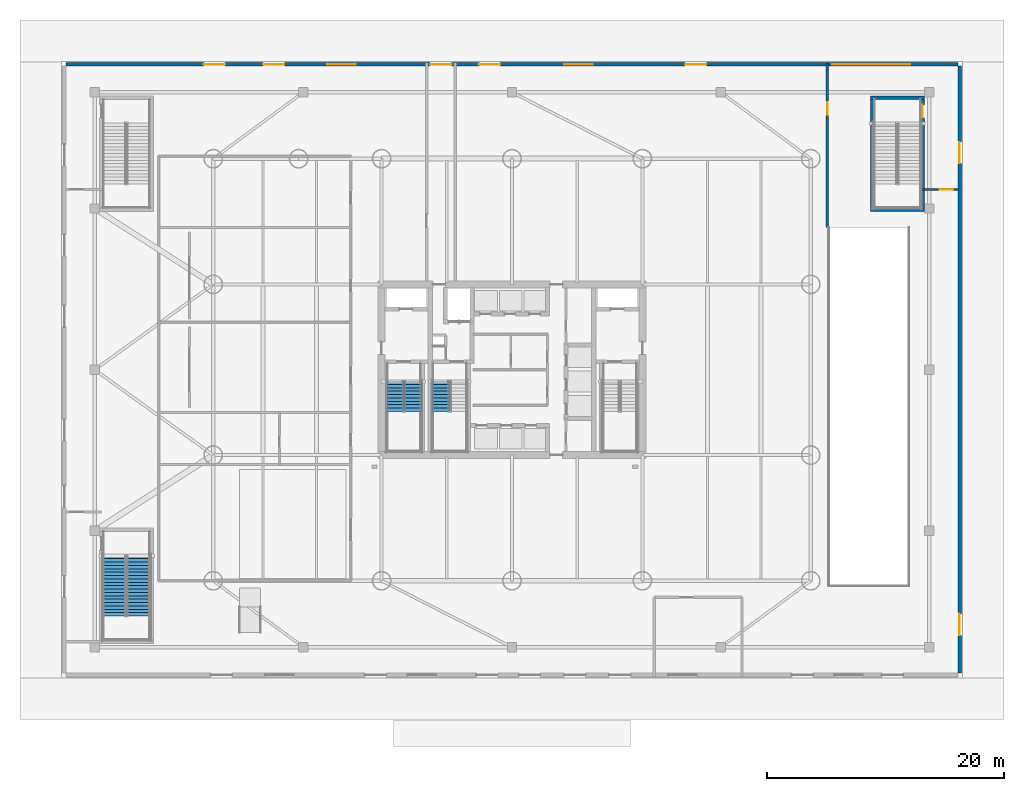
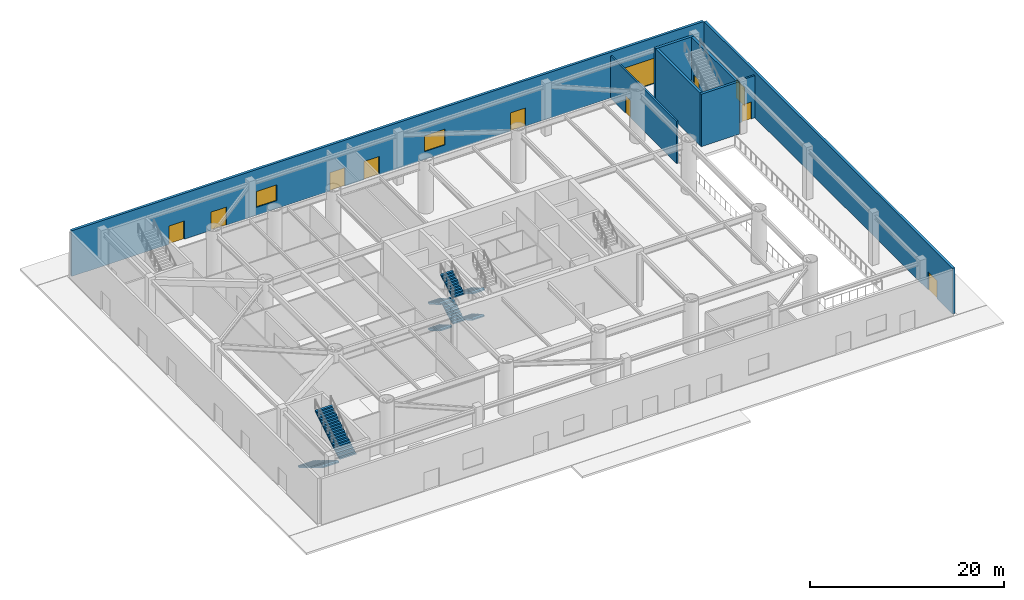
# One storey, part 7 of 15: 11 doors, 8 stair flights, 8 walls, 2 windows, 13 openings, 3 elements without a shape of their own.
"""IFC4 building model written with IfcOpenShell, lengths in metres."""

from ifc_helpers import new_model, si_unit, direction, frame, frame_2d, origin, place, context, subcontext, project, spatial, polyline, rectangle, outline, extrude, material, layer, layer_set, type_object, element, fill, aggregate, save


model = new_model("IFC4")

# Units and contexts
model_context = context("Model", 3, precision=1e-05, world=origin(), true_north=direction((0.0, 1.0)))
body_context = subcontext(model_context, "Body", "Model", "MODEL_VIEW")
ifc_project = project(units=[si_unit("LENGTHUNIT", "METRE"), si_unit("AREAUNIT", "SQUARE_METRE"), si_unit("VOLUMEUNIT", "CUBIC_METRE"), si_unit("PLANEANGLEUNIT", "RADIAN"), si_unit("MASSUNIT", "GRAM", prefix="KILO")], contexts=[model_context])

# Site, building, storey
site_placement = place(None, origin())
site = spatial("IfcSite", under=ifc_project, at=site_placement, CompositionType="ELEMENT")
building_placement = place(site_placement, origin())
building = spatial("IfcBuilding", under=site, at=building_placement, Name="Bramvorn Convention Spire", CompositionType="ELEMENT")
storey_placement = place(building_placement, origin())
storey = spatial("IfcBuildingStorey", under=building, at=storey_placement, Name="L00", CompositionType="ELEMENT", Elevation=0.0)

# Wall, openings, doors, windows
ifc_material_1 = material(Name="Precast Concrete C40/50 with Bronze Terracotta Rainscreen", Category="masonry")
ifc_layer_1 = layer(ifc_material_1, 0.300048828125)
ifc_layer_set_1 = layer_set([ifc_layer_1], Name="Precast Concrete C40/50 with Bronze Terracotta Rainscreen - WL-EXT-BRONZE-300")
wall_type_1 = type_object("IfcWallType", Name="WL-EXT-BRONZE-300", PredefinedType="SOLIDWALL", material=ifc_layer_set_1)
wall_1_placement = place(storey_placement, frame((0.39990234375, 51.75, 0.0), z_axis=(0.0, 0.0, 1.0), x_axis=(1.0, 0.0, 0.0)))
wall_1 = element("IfcWall", 1, at=wall_1_placement, inside=storey, type_object=wall_type_1, Name="L00 North podium bronze facade wall", PredefinedType="SOLIDWALL", context=body_context, shape_type="SweptSolid", body=[
    extrude(rectangle(XDim=75.2001953125, YDim=0.300048828125, at=frame_2d((37.60009765625, 0.0))), origin(), (0.0, 0.0, 1.0), 5.760009765625),
])
opening_1_placement = place(wall_1_placement, frame((22.0, 0.0, 1.0)))
opening_1 = element("IfcOpeningElement", 2, at=opening_1_placement, cuts=wall_1, Name="Opening WN05", PredefinedType="OPENING", context=body_context, shape_type="SweptSolid", body=[
    extrude(rectangle(XDim=2.39990234375, YDim=2.0, at=frame_2d((1.199951171875, 1.0))), frame((0.0, 0.159912109375, 0.0), z_axis=(0.0, -1.0, 0.0), x_axis=(1.0, 0.0, 0.0)), (0.0, 0.0, 1.0), 0.320068359375),
])
opening_2_placement = place(wall_1_placement, frame((42.0, 0.0, 1.0)))
opening_2 = element("IfcOpeningElement", 3, at=opening_2_placement, cuts=wall_1, Name="Opening WN05", PredefinedType="OPENING", context=body_context, shape_type="SweptSolid", body=[
    extrude(rectangle(XDim=2.39990234375, YDim=2.0, at=frame_2d((1.199951171875, 1.0))), frame((0.0, 0.159912109375, 0.0), z_axis=(0.0, -1.0, 0.0), x_axis=(1.0, 0.0, 0.0)), (0.0, 0.0, 1.0), 0.320068359375),
])
opening_3_placement = place(wall_1_placement, frame((11.60009765625, 0.0, 0.0)))
opening_3 = element("IfcOpeningElement", 4, at=opening_3_placement, cuts=wall_1, Name="Opening DE03", PredefinedType="OPENING", context=body_context, shape_type="SweptSolid", body=[
    extrude(rectangle(XDim=1.800048828125, YDim=2.300048828125, at=frame_2d((0.89990234375, 1.14990234375))), frame((0.0, 0.159912109375, 0.0), z_axis=(0.0, -1.0, 0.0), x_axis=(1.0, 0.0, 0.0)), (0.0, 0.0, 1.0), 0.320068359375),
])
opening_4_placement = place(wall_1_placement, frame((16.60009765625, 0.0, 0.0)))
opening_4 = element("IfcOpeningElement", 5, at=opening_4_placement, cuts=wall_1, Name="Opening DE03", PredefinedType="OPENING", context=body_context, shape_type="SweptSolid", body=[
    extrude(rectangle(XDim=1.800048828125, YDim=2.300048828125, at=frame_2d((0.89990234375, 1.14990234375))), frame((0.0, 0.159912109375, 0.0), z_axis=(0.0, -1.0, 0.0), x_axis=(1.0, 0.0, 0.0)), (0.0, 0.0, 1.0), 0.320068359375),
])
opening_5_placement = place(wall_1_placement, frame((30.699951171875, 0.0, 0.0)))
opening_5 = element("IfcOpeningElement", 6, at=opening_5_placement, cuts=wall_1, Name="Opening DE03", PredefinedType="OPENING", context=body_context, shape_type="SweptSolid", body=[
    extrude(rectangle(XDim=1.800048828125, YDim=2.300048828125, at=frame_2d((0.89990234375, 1.14990234375))), frame((0.0, 0.159912109375, 0.0), z_axis=(0.0, -1.0, 0.0), x_axis=(1.0, 0.0, 0.0)), (0.0, 0.0, 1.0), 0.320068359375),
])
opening_6_placement = place(wall_1_placement, frame((34.800048828125, 0.0, 0.0)))
opening_6 = element("IfcOpeningElement", 7, at=opening_6_placement, cuts=wall_1, Name="Opening DE03", PredefinedType="OPENING", context=body_context, shape_type="SweptSolid", body=[
    extrude(rectangle(XDim=1.800048828125, YDim=2.300048828125, at=frame_2d((0.89990234375, 1.14990234375))), frame((0.0, 0.159912109375, 0.0), z_axis=(0.0, -1.0, 0.0), x_axis=(1.0, 0.0, 0.0)), (0.0, 0.0, 1.0), 0.320068359375),
])
opening_7_placement = place(wall_1_placement, frame((52.199951171875, 0.0, 0.0)))
opening_7 = element("IfcOpeningElement", 8, at=opening_7_placement, cuts=wall_1, Name="Opening DE03", PredefinedType="OPENING", context=body_context, shape_type="SweptSolid", body=[
    extrude(rectangle(XDim=1.800048828125, YDim=2.300048828125, at=frame_2d((0.89990234375, 1.14990234375))), frame((0.0, 0.159912109375, 0.0), z_axis=(0.0, -1.0, 0.0), x_axis=(1.0, 0.0, 0.0)), (0.0, 0.0, 1.0), 0.320068359375),
])
opening_8_placement = place(wall_1_placement, frame((64.60009765625, 0.0, 0.0)))
opening_8 = element("IfcOpeningElement", 9, at=opening_8_placement, cuts=wall_1, Name="Opening VG01", PredefinedType="OPENING", context=body_context, shape_type="SweptSolid", body=[
    extrude(rectangle(XDim=6.60009765625, YDim=3.199951171875, at=frame_2d((3.300048828125, 1.60009765625))), frame((0.0, 0.159912109375, 0.0), z_axis=(0.0, -1.0, 0.0), x_axis=(1.0, 0.0, 0.0)), (0.0, 0.0, 1.0), 0.320068359375),
])
ifc_material_2 = material(Name="Anodised Bronze Aluminium & Laminated Safety Glass", Category="aluminium")
door_type_1 = type_object("IfcDoorType", Name="DR-EXT-1800X2300", OperationType="NOTDEFINED", PredefinedType="DOOR", material=ifc_material_2)
door_1_placement = place(opening_3_placement, origin())
door_1 = element("IfcDoor", 10, at=door_1_placement, inside=storey, type_object=door_type_1, Name="L00 NW Concourse Exit E13", OperationType="DOUBLE_DOOR_SINGLE_SWING", OverallHeight=2.300048828125, OverallWidth=1.800048828125, PredefinedType="DOOR", context=body_context, shape_type="SweptSolid", body=[
    extrude(rectangle(XDim=1.800048828125, YDim=2.300048828125, at=frame_2d((0.89990234375, 1.14990234375))), frame((0.0, 0.02490234375, 0.0), z_axis=(0.0, -1.0, 0.0), x_axis=(1.0, 0.0, 0.0)), (0.0, 0.0, 1.0), 0.050048828125),
])
fill(opening_3, door_1)
door_2_placement = place(opening_4_placement, origin())
door_2 = element("IfcDoor", 11, at=door_2_placement, inside=storey, type_object=door_type_1, Name="L00 North Concourse Exit E14", OperationType="DOUBLE_DOOR_SINGLE_SWING", OverallHeight=2.300048828125, OverallWidth=1.800048828125, PredefinedType="DOOR", context=body_context, shape_type="SweptSolid", body=[
    extrude(rectangle(XDim=1.800048828125, YDim=2.300048828125, at=frame_2d((0.89990234375, 1.14990234375))), frame((0.0, 0.02490234375, 0.0), z_axis=(0.0, -1.0, 0.0), x_axis=(1.0, 0.0, 0.0)), (0.0, 0.0, 1.0), 0.050048828125),
])
fill(opening_4, door_2)
door_3_placement = place(opening_5_placement, origin())
door_3 = element("IfcDoor", 12, at=door_3_placement, inside=storey, type_object=door_type_1, Name="L00 Protected Exit Discharge E15", OperationType="DOUBLE_DOOR_SINGLE_SWING", OverallHeight=2.300048828125, OverallWidth=1.800048828125, PredefinedType="DOOR", context=body_context, shape_type="SweptSolid", body=[
    extrude(rectangle(XDim=1.800048828125, YDim=2.300048828125, at=frame_2d((0.89990234375, 1.14990234375))), frame((0.0, 0.02490234375, 0.0), z_axis=(0.0, -1.0, 0.0), x_axis=(1.0, 0.0, 0.0)), (0.0, 0.0, 1.0), 0.050048828125),
])
fill(opening_5, door_3)
door_4_placement = place(opening_6_placement, origin())
door_4 = element("IfcDoor", 13, at=door_4_placement, inside=storey, type_object=door_type_1, Name="L00 North Hall Exit E16", OperationType="DOUBLE_DOOR_SINGLE_SWING", OverallHeight=2.300048828125, OverallWidth=1.800048828125, PredefinedType="DOOR", context=body_context, shape_type="SweptSolid", body=[
    extrude(rectangle(XDim=1.800048828125, YDim=2.300048828125, at=frame_2d((0.89990234375, 1.14990234375))), frame((0.0, 0.02490234375, 0.0), z_axis=(0.0, -1.0, 0.0), x_axis=(1.0, 0.0, 0.0)), (0.0, 0.0, 1.0), 0.050048828125),
])
fill(opening_6, door_4)
door_5_placement = place(opening_7_placement, origin())
door_5 = element("IfcDoor", 14, at=door_5_placement, inside=storey, type_object=door_type_1, Name="L00 NE Concourse Exit E17", OperationType="DOUBLE_DOOR_SINGLE_SWING", OverallHeight=2.300048828125, OverallWidth=1.800048828125, PredefinedType="DOOR", context=body_context, shape_type="SweptSolid", body=[
    extrude(rectangle(XDim=1.800048828125, YDim=2.300048828125, at=frame_2d((0.89990234375, 1.14990234375))), frame((0.0, 0.02490234375, 0.0), z_axis=(0.0, -1.0, 0.0), x_axis=(1.0, 0.0, 0.0)), (0.0, 0.0, 1.0), 0.050048828125),
])
fill(opening_7, door_5)
door_type_2 = type_object("IfcDoorType", Name="DR-VEH-GATE-6600", OperationType="NOTDEFINED", PredefinedType="GATE", material=ifc_material_2)
door_6_placement = place(opening_8_placement, origin())
door_6 = element("IfcDoor", 15, at=door_6_placement, inside=storey, type_object=door_type_2, Name="L00 Vehicle Ramp Overhead Shutter Gate VG01", OperationType="ROLLINGUP", OverallHeight=3.199951171875, OverallWidth=6.60009765625, PredefinedType="GATE", context=body_context, shape_type="SweptSolid", body=[
    extrude(rectangle(XDim=6.60009765625, YDim=3.199951171875, at=frame_2d((3.300048828125, 1.60009765625))), frame((0.0, 0.02490234375, 0.0), z_axis=(0.0, -1.0, 0.0), x_axis=(1.0, 0.0, 0.0)), (0.0, 0.0, 1.0), 0.050048828125),
])
fill(opening_8, door_6)
ifc_material_3 = material(Name="Thermally Broken Bronze Aluminium & Triple Low-E Glass", Category="aluminium")
window_type = type_object("IfcWindowType", Name="WN-OP-2400X2000", PartitioningType="SINGLE_PANEL", PredefinedType="WINDOW", material=ifc_material_3)
window_1_placement = place(opening_1_placement, origin())
window_1 = element("IfcWindow", 16, at=window_1_placement, inside=storey, type_object=window_type, Name="L00 North concourse window 1", OverallHeight=2.0, OverallWidth=2.39990234375, PartitioningType="SINGLE_PANEL", PredefinedType="WINDOW", context=body_context, shape_type="SweptSolid", body=[
    extrude(rectangle(XDim=2.39990234375, YDim=2.0, at=frame_2d((1.199951171875, 1.0))), frame((0.0, 0.030029296875, 0.0), z_axis=(0.0, -1.0, 0.0), x_axis=(1.0, 0.0, 0.0)), (0.0, 0.0, 1.0), 0.06005859375),
])
fill(opening_1, window_1)
window_2_placement = place(opening_2_placement, origin())
window_2 = element("IfcWindow", 17, at=window_2_placement, inside=storey, type_object=window_type, Name="L00 North concourse window 2", OverallHeight=2.0, OverallWidth=2.39990234375, PartitioningType="SINGLE_PANEL", PredefinedType="WINDOW", context=body_context, shape_type="SweptSolid", body=[
    extrude(rectangle(XDim=2.39990234375, YDim=2.0, at=frame_2d((1.199951171875, 1.0))), frame((0.0, 0.030029296875, 0.0), z_axis=(0.0, -1.0, 0.0), x_axis=(1.0, 0.0, 0.0)), (0.0, 0.0, 1.0), 0.06005859375),
])
fill(opening_2, window_2)

# Wall, openings, doors
wall_2_placement = place(storey_placement, frame((75.75, 51.60009765625, 0.0), z_axis=(0.0, 0.0, 1.0), x_axis=(0.0, -1.0, 0.0)))
wall_2 = element("IfcWall", 18, at=wall_2_placement, inside=storey, type_object=wall_type_1, Name="L00 East podium bronze facade wall", PredefinedType="SOLIDWALL", context=body_context, shape_type="SweptSolid", body=[
    extrude(rectangle(XDim=51.2001953125, YDim=0.300048828125, at=frame_2d((25.60009765625, 0.0))), origin(), (0.0, 0.0, 1.0), 5.760009765625),
])
opening_9_placement = place(wall_2_placement, frame((46.199951171875, 0.0, 0.0)))
opening_9 = element("IfcOpeningElement", 19, at=opening_9_placement, cuts=wall_2, Name="Opening DE03", PredefinedType="OPENING", context=body_context, shape_type="SweptSolid", body=[
    extrude(rectangle(XDim=1.800048828125, YDim=2.300048828125, at=frame_2d((0.89990234375, 1.14990234375))), frame((0.0, 0.159912109375, 0.0), z_axis=(0.0, -1.0, 0.0), x_axis=(1.0, 0.0, 0.0)), (0.0, 0.0, 1.0), 0.320068359375),
])
opening_10_placement = place(wall_2_placement, frame((6.39990234375, 0.0, 0.0)))
opening_10 = element("IfcOpeningElement", 20, at=opening_10_placement, cuts=wall_2, Name="Opening DE03", PredefinedType="OPENING", context=body_context, shape_type="SweptSolid", body=[
    extrude(rectangle(XDim=1.800048828125, YDim=2.300048828125, at=frame_2d((0.89990234375, 1.14990234375))), frame((0.0, 0.159912109375, 0.0), z_axis=(0.0, -1.0, 0.0), x_axis=(1.0, 0.0, 0.0)), (0.0, 0.0, 1.0), 0.320068359375),
])
door_7_placement = place(opening_9_placement, origin())
door_7 = element("IfcDoor", 21, at=door_7_placement, inside=storey, type_object=door_type_1, Name="L00 SE Concourse Exit E18", OperationType="DOUBLE_DOOR_SINGLE_SWING", OverallHeight=2.300048828125, OverallWidth=1.800048828125, PredefinedType="DOOR", context=body_context, shape_type="SweptSolid", body=[
    extrude(rectangle(XDim=1.800048828125, YDim=2.300048828125, at=frame_2d((0.89990234375, 1.14990234375))), frame((0.0, 0.02490234375, 0.0), z_axis=(0.0, -1.0, 0.0), x_axis=(1.0, 0.0, 0.0)), (0.0, 0.0, 1.0), 0.050048828125),
])
fill(opening_9, door_7)
door_8_placement = place(opening_10_placement, origin())
door_8 = element("IfcDoor", 22, at=door_8_placement, inside=storey, type_object=door_type_1, Name="L00 Stair ST5 Protected Street Exit E20", OperationType="DOUBLE_DOOR_SINGLE_SWING", OverallHeight=2.300048828125, OverallWidth=1.800048828125, PredefinedType="DOOR", context=body_context, shape_type="SweptSolid", body=[
    extrude(rectangle(XDim=1.800048828125, YDim=2.300048828125, at=frame_2d((0.89990234375, 1.14990234375))), frame((0.0, 0.02490234375, 0.0), z_axis=(0.0, -1.0, 0.0), x_axis=(1.0, 0.0, 0.0)), (0.0, 0.0, 1.0), 0.050048828125),
])
fill(opening_10, door_8)

# Wall, opening, door
ifc_material_4 = material(Name="Gypsum Shaftwall & Rockwool Core Partition", Category="gypsum")
ifc_layer_2 = layer(ifc_material_4, 0.199951171875)
ifc_layer_set_2 = layer_set([ifc_layer_2], Name="Gypsum Shaftwall & Rockwool Core Partition - WL-PART-200-FR")
wall_type_2 = type_object("IfcWallType", Name="WL-PART-200-FR", PredefinedType="PARTITIONING", material=ifc_layer_set_2)
wall_3_placement = place(storey_placement, frame((72.639892578125, 41.199951171875, 0.0), z_axis=(0.0, 0.0, 1.0), x_axis=(1.0, 0.0, 0.0)))
wall_3 = element("IfcWall", 23, at=wall_3_placement, inside=storey, type_object=wall_type_2, Name="L00 ST5 protected exit passage south wall", PredefinedType="PARTITIONING", context=body_context, shape_type="SweptSolid", body=[
    extrude(rectangle(XDim=2.960205078125, YDim=0.199951171875, at=frame_2d((1.47998046875, 0.0))), origin(), (0.0, 0.0, 1.0), 5.31005859375),
])
opening_11_placement = place(wall_3_placement, frame((1.449951171875, 0.0, 0.0)))
opening_11 = element("IfcOpeningElement", 24, at=opening_11_placement, cuts=wall_3, Name="Opening DS-110", PredefinedType="OPENING", context=body_context, shape_type="SweptSolid", body=[
    extrude(rectangle(XDim=1.10009765625, YDim=2.14990234375, at=frame_2d((0.550048828125, 1.074951171875))), frame((0.0, 0.10986328125, 0.0), z_axis=(0.0, -1.0, 0.0), x_axis=(1.0, 0.0, 0.0)), (0.0, 0.0, 1.0), 0.219970703125),
])
ifc_material_5 = material(Name="Fire-Rated Hollow Steel Stairwell Door", Category="steel")
door_type_3 = type_object("IfcDoorType", Name="DR-STAIR-1100", OperationType="NOTDEFINED", PredefinedType="DOOR", material=ifc_material_5)
door_9_placement = place(opening_11_placement, origin())
door_9 = element("IfcDoor", 25, at=door_9_placement, inside=storey, type_object=door_type_3, Name="L00 ST5 Protected Passage concourse fire door", OperationType="SINGLE_SWING_LEFT", OverallHeight=2.14990234375, OverallWidth=1.10009765625, PredefinedType="DOOR", context=body_context, shape_type="SweptSolid", body=[
    extrude(rectangle(XDim=1.10009765625, YDim=2.14990234375, at=frame_2d((0.550048828125, 1.074951171875))), frame((0.0, 0.02490234375, 0.0), z_axis=(0.0, -1.0, 0.0), x_axis=(1.0, 0.0, 0.0)), (0.0, 0.0, 1.0), 0.050048828125),
])
fill(opening_11, door_9)

wall_4_placement = place(storey_placement, frame((64.60009765625, 38.0, 0.0), z_axis=(0.0, 0.0, 1.0), x_axis=(0.0, 1.0, 0.0)))
wall_4 = element("IfcWall", 26, at=wall_4_placement, inside=storey, type_object=wall_type_2, Name="L00 Vehicle ramp fire enclosure wall", PredefinedType="PARTITIONING", context=body_context, shape_type="SweptSolid", body=[
    extrude(rectangle(XDim=13.860107421875, YDim=0.199951171875, at=frame_2d((6.93017578125, 0.0))), origin(), (0.0, 0.0, 1.0), 5.31005859375),
])
opening_12_placement = place(wall_4_placement, frame((9.5, 0.0, 0.0)))
opening_12 = element("IfcOpeningElement", 27, at=opening_12_placement, cuts=wall_4, Name="Opening DL-105", PredefinedType="OPENING", context=body_context, shape_type="SweptSolid", body=[
    extrude(rectangle(XDim=1.050048828125, YDim=2.14990234375, at=frame_2d((0.52490234375, 1.074951171875))), frame((0.0, 0.10986328125, 0.0), z_axis=(0.0, -1.0, 0.0), x_axis=(1.0, 0.0, 0.0)), (0.0, 0.0, 1.0), 0.219970703125),
])
ifc_material_6 = material(Name="Smoke-Sealed Fire Lobby Timber-Core Door", Category="wood")
door_type_4 = type_object("IfcDoorType", Name="DR-LOBBY-1050", OperationType="NOTDEFINED", PredefinedType="DOOR", material=ifc_material_6)
door_10_placement = place(opening_12_placement, origin())
door_10 = element("IfcDoor", 28, at=door_10_placement, inside=storey, type_object=door_type_4, Name="L00 Ramp Vestibule fire door", OperationType="SINGLE_SWING_LEFT", OverallHeight=2.14990234375, OverallWidth=1.050048828125, PredefinedType="DOOR", context=body_context, shape_type="SweptSolid", body=[
    extrude(rectangle(XDim=1.050048828125, YDim=2.14990234375, at=frame_2d((0.52490234375, 1.074951171875))), frame((0.0, 0.02490234375, 0.0), z_axis=(0.0, -1.0, 0.0), x_axis=(1.0, 0.0, 0.0)), (0.0, 0.0, 1.0), 0.050048828125),
])
fill(opening_12, door_10)

# Walls
ifc_material_7 = material(Name="Concrete C50/60", Category="concrete")
ifc_layer_3 = layer(ifc_material_7, 0.300048828125)
ifc_layer_set_3 = layer_set([ifc_layer_3], Name="Concrete C50/60 - WL-POD-STAIR-300")
wall_type_3 = type_object("IfcWallType", Name="WL-POD-STAIR-300", PredefinedType="SHEAR", material=ifc_layer_set_3)
for number, where, z_axis, x_axis, name in (
    (29, (68.22998046875, 39.510009765625, 0.0), (0.0, 0.0, 1.0), (1.0, 0.0, 0.0), "L00 ST5 south shaft wall"),
    (30, (68.22998046875, 48.93994140625, 0.0), (0.0, 0.0, 1.0), (1.0, 0.0, 0.0), "L00 ST5 north shaft wall"),
):
    element("IfcWall", number, at=place(storey_placement, frame(where, z_axis=z_axis, x_axis=x_axis)), inside=storey, type_object=wall_type_3, Name=name, PredefinedType="SHEAR", context=body_context, shape_type="SweptSolid", body=[
        extrude(rectangle(XDim=4.56005859375, YDim=0.300048828125, at=frame_2d((2.280029296875, 0.0))), origin(), (0.0, 0.0, 1.0), 6.60009765625),
    ])
wall_5_placement = place(storey_placement, frame((68.3798828125, 39.659912109375, 0.0), z_axis=(0.0, 0.0, 1.0), x_axis=(0.0, 1.0, 0.0)))
element("IfcWall", 31, at=wall_5_placement, inside=storey, type_object=wall_type_3, Name="L00 ST5 west shaft wall", PredefinedType="SHEAR", context=body_context, shape_type="SweptSolid", body=[
    extrude(rectangle(XDim=9.130126953125, YDim=0.300048828125, at=frame_2d((4.56494140625, 0.0))), origin(), (0.0, 0.0, 1.0), 6.60009765625),
])

# Wall, opening, door
wall_6_placement = place(storey_placement, frame((72.639892578125, 48.7900390625, 0.0), z_axis=(0.0, 0.0, 1.0), x_axis=(0.0, -1.0, 0.0)))
wall_6 = element("IfcWall", 32, at=wall_6_placement, inside=storey, type_object=wall_type_3, Name="L00 ST5 east shaft wall", PredefinedType="SHEAR", context=body_context, shape_type="SweptSolid", body=[
    extrude(rectangle(XDim=9.130126953125, YDim=0.300048828125, at=frame_2d((4.56494140625, 0.0))), origin(), (0.0, 0.0, 1.0), 6.60009765625),
])
opening_13_placement = place(wall_6_placement, frame((0.449951171875, 0.0, 0.0)))
opening_13 = element("IfcOpeningElement", 33, at=opening_13_placement, cuts=wall_6, Name="Opening DS-110", PredefinedType="OPENING", context=body_context, shape_type="SweptSolid", body=[
    extrude(rectangle(XDim=1.10009765625, YDim=2.14990234375, at=frame_2d((0.550048828125, 1.074951171875))), frame((0.0, 0.159912109375, 0.0), z_axis=(0.0, -1.0, 0.0), x_axis=(1.0, 0.0, 0.0)), (0.0, 0.0, 1.0), 0.320068359375),
])
door_11_placement = place(opening_13_placement, origin())
door_11 = element("IfcDoor", 34, at=door_11_placement, inside=storey, type_object=door_type_3, Name="L00 ST5 exit stairwell door", OperationType="SINGLE_SWING_LEFT", OverallHeight=2.14990234375, OverallWidth=1.10009765625, PredefinedType="DOOR", context=body_context, shape_type="SweptSolid", body=[
    extrude(rectangle(XDim=1.10009765625, YDim=2.14990234375, at=frame_2d((0.550048828125, 1.074951171875))), frame((0.0, 0.02490234375, 0.0), z_axis=(0.0, -1.0, 0.0), x_axis=(1.0, 0.0, 0.0)), (0.0, 0.0, 1.0), 0.050048828125),
])
fill(opening_13, door_11)

# Stair, stair flights
ifc_material_8 = material(Name="Concrete C40/50 Grand Exit Stair", Category="concrete")
stair_type_1 = type_object("IfcStairType", Name="ST-PODIUM-1950", PredefinedType="HALF_TURN_STAIR", material=ifc_material_8)
stair_1_placement = place(storey_placement, origin())
stair_1 = element("IfcStair", 35, at=stair_1_placement, inside=storey, type_object=stair_type_1, Name="L00 Protected Exit Stair ST4", PredefinedType="HALF_TURN_STAIR")
ifc_material_9 = material(Name="Concrete C40/50 Precast Stair Flight", Category="concrete")
stair_flight_type_1 = type_object("IfcStairFlightType", Name="STF-PODIUM-1950", PredefinedType="STRAIGHT", material=ifc_material_9)
stair_flight_1_placement = place(storey_placement, frame((4.47509765625, 10.35009765625, 0.0), z_axis=(0.0, 0.0, 1.0), x_axis=(0.0, -1.0, 0.0)))
stair_flight_1 = element("IfcStairFlight", 36, at=stair_flight_1_placement, type_object=stair_flight_type_1, Name="ST4 flight 1", NumberOfRisers=19, NumberOfTreads=18, PredefinedType="STRAIGHT", RiserHeight=0.173684211, TreadLength=0.285, context=body_context, shape_type="SweptSolid", body=[
    extrude(outline(polyline([(0.0, 0.0), (0.0, 0.173583984375), (0.284912109375, 0.173583984375), (0.284912109375, 0.347412109375), (0.570068359375, 0.347412109375), (0.570068359375, 0.52099609375), (0.85498046875, 0.52099609375), (0.85498046875, 0.69482421875), (1.139892578125, 0.69482421875), (1.139892578125, 0.868408203125), (1.425048828125, 0.868408203125), (1.425048828125, 1.0419921875), (1.7099609375, 1.0419921875), (1.7099609375, 1.2158203125), (1.9951171875, 1.2158203125), (1.9951171875, 1.389404296875), (2.280029296875, 1.389404296875), (2.280029296875, 1.563232421875), (2.56494140625, 1.563232421875), (2.56494140625, 1.73681640625), (2.85009765625, 1.73681640625), (2.85009765625, 1.91064453125), (3.135009765625, 1.91064453125), (3.135009765625, 2.084228515625), (3.419921875, 2.084228515625), (3.419921875, 2.2578125), (3.705078125, 2.2578125), (3.705078125, 2.431640625), (3.989990234375, 2.431640625), (3.989990234375, 2.605224609375), (4.27490234375, 2.605224609375), (4.27490234375, 2.779052734375), (4.56005859375, 2.779052734375), (4.56005859375, 2.95263671875), (4.844970703125, 2.95263671875), (4.844970703125, 3.126220703125), (5.1298828125, 3.126220703125), (5.1298828125, 3.300048828125), (5.1298828125, 2.95068359375), (0.2880859375, 0.0), (0.0, 0.0)])), frame((0.0, 0.97509765625, 0.0), z_axis=(0.0, -1.0, 0.0), x_axis=(1.0, 0.0, 0.0)), (0.0, 0.0, 1.0), 1.949951171875),
])
stair_flight_2_placement = place(storey_placement, frame((6.5048828125, 5.219970703125, 3.300048828125), z_axis=(0.0, 0.0, 1.0), x_axis=(0.0, 1.0, 0.0)))
stair_flight_2 = element("IfcStairFlight", 37, at=stair_flight_2_placement, type_object=stair_flight_type_1, Name="ST4 flight 2", NumberOfRisers=19, NumberOfTreads=18, PredefinedType="STRAIGHT", RiserHeight=0.173684211, TreadLength=0.285, context=body_context, shape_type="SweptSolid", body=[
    extrude(outline(polyline([(0.0, 0.0), (0.0, 0.173583984375), (0.284912109375, 0.173583984375), (0.284912109375, 0.347412109375), (0.570068359375, 0.347412109375), (0.570068359375, 0.52099609375), (0.85498046875, 0.52099609375), (0.85498046875, 0.69482421875), (1.139892578125, 0.69482421875), (1.139892578125, 0.868408203125), (1.425048828125, 0.868408203125), (1.425048828125, 1.0419921875), (1.7099609375, 1.0419921875), (1.7099609375, 1.2158203125), (1.9951171875, 1.2158203125), (1.9951171875, 1.389404296875), (2.280029296875, 1.389404296875), (2.280029296875, 1.563232421875), (2.56494140625, 1.563232421875), (2.56494140625, 1.73681640625), (2.85009765625, 1.73681640625), (2.85009765625, 1.91064453125), (3.135009765625, 1.91064453125), (3.135009765625, 2.084228515625), (3.419921875, 2.084228515625), (3.419921875, 2.2578125), (3.705078125, 2.2578125), (3.705078125, 2.431640625), (3.989990234375, 2.431640625), (3.989990234375, 2.605224609375), (4.27490234375, 2.605224609375), (4.27490234375, 2.779052734375), (4.56005859375, 2.779052734375), (4.56005859375, 2.95263671875), (4.844970703125, 2.95263671875), (4.844970703125, 3.126220703125), (5.1298828125, 3.126220703125), (5.1298828125, 3.300048828125), (5.1298828125, 2.95068359375), (0.2880859375, 0.0), (0.0, 0.0)])), frame((0.0, 0.97509765625, 0.0), z_axis=(0.0, -1.0, 0.0), x_axis=(1.0, 0.0, 0.0)), (0.0, 0.0, 1.0), 1.949951171875),
])
aggregate(stair_1, [stair_flight_1, stair_flight_2])

ifc_material_10 = material(Name="Concrete C40/50 Precast Stair", Category="concrete")
stair_type_2 = type_object("IfcStairType", Name="ST-TOWER-1550", PredefinedType="HALF_TURN_STAIR", material=ifc_material_10)
stair_2_placement = place(storey_placement, origin())
stair_2 = element("IfcStair", 38, at=stair_2_placement, inside=storey, type_object=stair_type_2, Name="L00 Protected Exit Stair ST1", PredefinedType="HALF_TURN_STAIR")
stair_flight_type_2 = type_object("IfcStairFlightType", Name="STF-TOWER-1550", PredefinedType="STRAIGHT", material=ifc_material_9)
stair_flight_3_placement = place(storey_placement, frame((28.155029296875, 25.050048828125, 0.0), z_axis=(0.0, 0.0, 1.0), x_axis=(0.0, -1.0, 0.0)))
stair_flight_3 = element("IfcStairFlight", 39, at=stair_flight_3_placement, type_object=stair_flight_type_2, Name="ST1 flight 1", NumberOfRisers=10, NumberOfTreads=9, PredefinedType="STRAIGHT", RiserHeight=0.165, TreadLength=0.285, context=body_context, shape_type="SweptSolid", body=[
    extrude(outline(polyline([(0.0, 0.0), (0.0, 0.1650390625), (0.284912109375, 0.1650390625), (0.284912109375, 0.330078125), (0.570068359375, 0.330078125), (0.570068359375, 0.4951171875), (0.85498046875, 0.4951171875), (0.85498046875, 0.659912109375), (1.139892578125, 0.659912109375), (1.139892578125, 0.824951171875), (1.425048828125, 0.824951171875), (1.425048828125, 0.989990234375), (1.7099609375, 0.989990234375), (1.7099609375, 1.155029296875), (1.9951171875, 1.155029296875), (1.9951171875, 1.320068359375), (2.280029296875, 1.320068359375), (2.280029296875, 1.485107421875), (2.56494140625, 1.485107421875), (2.56494140625, 1.64990234375), (2.56494140625, 1.311767578125), (0.299072265625, 0.0), (0.0, 0.0)])), frame((0.0, 0.705078125, 0.0), z_axis=(0.0, -1.0, 0.0), x_axis=(1.0, 0.0, 0.0)), (0.0, 0.0, 1.0), 1.409912109375),
])
stair_flight_4_placement = place(storey_placement, frame((29.64501953125, 22.485107421875, 1.64990234375), z_axis=(0.0, 0.0, 1.0), x_axis=(0.0, 1.0, 0.0)))
stair_flight_4 = element("IfcStairFlight", 40, at=stair_flight_4_placement, type_object=stair_flight_type_2, Name="ST1 flight 2", NumberOfRisers=10, NumberOfTreads=9, PredefinedType="STRAIGHT", RiserHeight=0.165, TreadLength=0.285, context=body_context, shape_type="SweptSolid", body=[
    extrude(outline(polyline([(0.0, 0.0), (0.0, 0.1650390625), (0.284912109375, 0.1650390625), (0.284912109375, 0.330078125), (0.570068359375, 0.330078125), (0.570068359375, 0.4951171875), (0.85498046875, 0.4951171875), (0.85498046875, 0.659912109375), (1.139892578125, 0.659912109375), (1.139892578125, 0.824951171875), (1.425048828125, 0.824951171875), (1.425048828125, 0.989990234375), (1.7099609375, 0.989990234375), (1.7099609375, 1.155029296875), (1.9951171875, 1.155029296875), (1.9951171875, 1.320068359375), (2.280029296875, 1.320068359375), (2.280029296875, 1.485107421875), (2.56494140625, 1.485107421875), (2.56494140625, 1.64990234375), (2.56494140625, 1.311767578125), (0.299072265625, 0.0), (0.0, 0.0)])), frame((0.0, 0.705078125, 0.0), z_axis=(0.0, -1.0, 0.0), x_axis=(1.0, 0.0, 0.0)), (0.0, 0.0, 1.0), 1.409912109375),
])
stair_flight_5_placement = place(storey_placement, frame((28.155029296875, 25.050048828125, 3.300048828125), z_axis=(0.0, 0.0, 1.0), x_axis=(0.0, -1.0, 0.0)))
stair_flight_5 = element("IfcStairFlight", 41, at=stair_flight_5_placement, type_object=stair_flight_type_2, Name="ST1 flight 3", NumberOfRisers=10, NumberOfTreads=9, PredefinedType="STRAIGHT", RiserHeight=0.165, TreadLength=0.285, context=body_context, shape_type="SweptSolid", body=[
    extrude(outline(polyline([(0.0, 0.0), (0.0, 0.1650390625), (0.284912109375, 0.1650390625), (0.284912109375, 0.330078125), (0.570068359375, 0.330078125), (0.570068359375, 0.4951171875), (0.85498046875, 0.4951171875), (0.85498046875, 0.659912109375), (1.139892578125, 0.659912109375), (1.139892578125, 0.824951171875), (1.425048828125, 0.824951171875), (1.425048828125, 0.989990234375), (1.7099609375, 0.989990234375), (1.7099609375, 1.155029296875), (1.9951171875, 1.155029296875), (1.9951171875, 1.320068359375), (2.280029296875, 1.320068359375), (2.280029296875, 1.485107421875), (2.56494140625, 1.485107421875), (2.56494140625, 1.64990234375), (2.56494140625, 1.311767578125), (0.299072265625, 0.0), (0.0, 0.0)])), frame((0.0, 0.705078125, 0.0), z_axis=(0.0, -1.0, 0.0), x_axis=(1.0, 0.0, 0.0)), (0.0, 0.0, 1.0), 1.409912109375),
])
stair_flight_6_placement = place(storey_placement, frame((29.64501953125, 22.485107421875, 4.949951171875), z_axis=(0.0, 0.0, 1.0), x_axis=(0.0, 1.0, 0.0)))
stair_flight_6 = element("IfcStairFlight", 42, at=stair_flight_6_placement, type_object=stair_flight_type_2, Name="ST1 flight 4", NumberOfRisers=10, NumberOfTreads=9, PredefinedType="STRAIGHT", RiserHeight=0.165, TreadLength=0.285, context=body_context, shape_type="SweptSolid", body=[
    extrude(outline(polyline([(0.0, 0.0), (0.0, 0.1650390625), (0.284912109375, 0.1650390625), (0.284912109375, 0.330078125), (0.570068359375, 0.330078125), (0.570068359375, 0.4951171875), (0.85498046875, 0.4951171875), (0.85498046875, 0.659912109375), (1.139892578125, 0.659912109375), (1.139892578125, 0.824951171875), (1.425048828125, 0.824951171875), (1.425048828125, 0.989990234375), (1.7099609375, 0.989990234375), (1.7099609375, 1.155029296875), (1.9951171875, 1.155029296875), (1.9951171875, 1.320068359375), (2.280029296875, 1.320068359375), (2.280029296875, 1.485107421875), (2.56494140625, 1.485107421875), (2.56494140625, 1.64990234375), (2.56494140625, 1.311767578125), (0.299072265625, 0.0), (0.0, 0.0)])), frame((0.0, 0.705078125, 0.0), z_axis=(0.0, -1.0, 0.0), x_axis=(1.0, 0.0, 0.0)), (0.0, 0.0, 1.0), 1.409912109375),
])
aggregate(stair_2, [stair_flight_3, stair_flight_4, stair_flight_5, stair_flight_6])

stair_3_placement = place(storey_placement, origin())
stair_3 = element("IfcStair", 43, at=stair_3_placement, inside=storey, type_object=stair_type_2, Name="L00 Protected Exit Stair ST3", PredefinedType="HALF_TURN_STAIR")
stair_flight_7_placement = place(storey_placement, frame((32.0048828125, 25.050048828125, 0.0), z_axis=(0.0, 0.0, 1.0), x_axis=(0.0, -1.0, 0.0)))
stair_flight_7 = element("IfcStairFlight", 44, at=stair_flight_7_placement, type_object=stair_flight_type_2, Name="ST3 flight 1", NumberOfRisers=10, NumberOfTreads=9, PredefinedType="STRAIGHT", RiserHeight=0.165, TreadLength=0.285, context=body_context, shape_type="SweptSolid", body=[
    extrude(outline(polyline([(0.0, 0.0), (0.0, 0.1650390625), (0.284912109375, 0.1650390625), (0.284912109375, 0.330078125), (0.570068359375, 0.330078125), (0.570068359375, 0.4951171875), (0.85498046875, 0.4951171875), (0.85498046875, 0.659912109375), (1.139892578125, 0.659912109375), (1.139892578125, 0.824951171875), (1.425048828125, 0.824951171875), (1.425048828125, 0.989990234375), (1.7099609375, 0.989990234375), (1.7099609375, 1.155029296875), (1.9951171875, 1.155029296875), (1.9951171875, 1.320068359375), (2.280029296875, 1.320068359375), (2.280029296875, 1.485107421875), (2.56494140625, 1.485107421875), (2.56494140625, 1.64990234375), (2.56494140625, 1.311767578125), (0.299072265625, 0.0), (0.0, 0.0)])), frame((0.0, 0.705078125, 0.0), z_axis=(0.0, -1.0, 0.0), x_axis=(1.0, 0.0, 0.0)), (0.0, 0.0, 1.0), 1.409912109375),
])
stair_flight_8_placement = place(storey_placement, frame((32.0048828125, 25.050048828125, 3.300048828125), z_axis=(0.0, 0.0, 1.0), x_axis=(0.0, -1.0, 0.0)))
stair_flight_8 = element("IfcStairFlight", 45, at=stair_flight_8_placement, type_object=stair_flight_type_2, Name="ST3 flight 3", NumberOfRisers=10, NumberOfTreads=9, PredefinedType="STRAIGHT", RiserHeight=0.165, TreadLength=0.285, context=body_context, shape_type="SweptSolid", body=[
    extrude(outline(polyline([(0.0, 0.0), (0.0, 0.1650390625), (0.284912109375, 0.1650390625), (0.284912109375, 0.330078125), (0.570068359375, 0.330078125), (0.570068359375, 0.4951171875), (0.85498046875, 0.4951171875), (0.85498046875, 0.659912109375), (1.139892578125, 0.659912109375), (1.139892578125, 0.824951171875), (1.425048828125, 0.824951171875), (1.425048828125, 0.989990234375), (1.7099609375, 0.989990234375), (1.7099609375, 1.155029296875), (1.9951171875, 1.155029296875), (1.9951171875, 1.320068359375), (2.280029296875, 1.320068359375), (2.280029296875, 1.485107421875), (2.56494140625, 1.485107421875), (2.56494140625, 1.64990234375), (2.56494140625, 1.311767578125), (0.299072265625, 0.0), (0.0, 0.0)])), frame((0.0, 0.705078125, 0.0), z_axis=(0.0, -1.0, 0.0), x_axis=(1.0, 0.0, 0.0)), (0.0, 0.0, 1.0), 1.409912109375),
])
aggregate(stair_3, [stair_flight_7, stair_flight_8])

save(model, "model.ifc")
